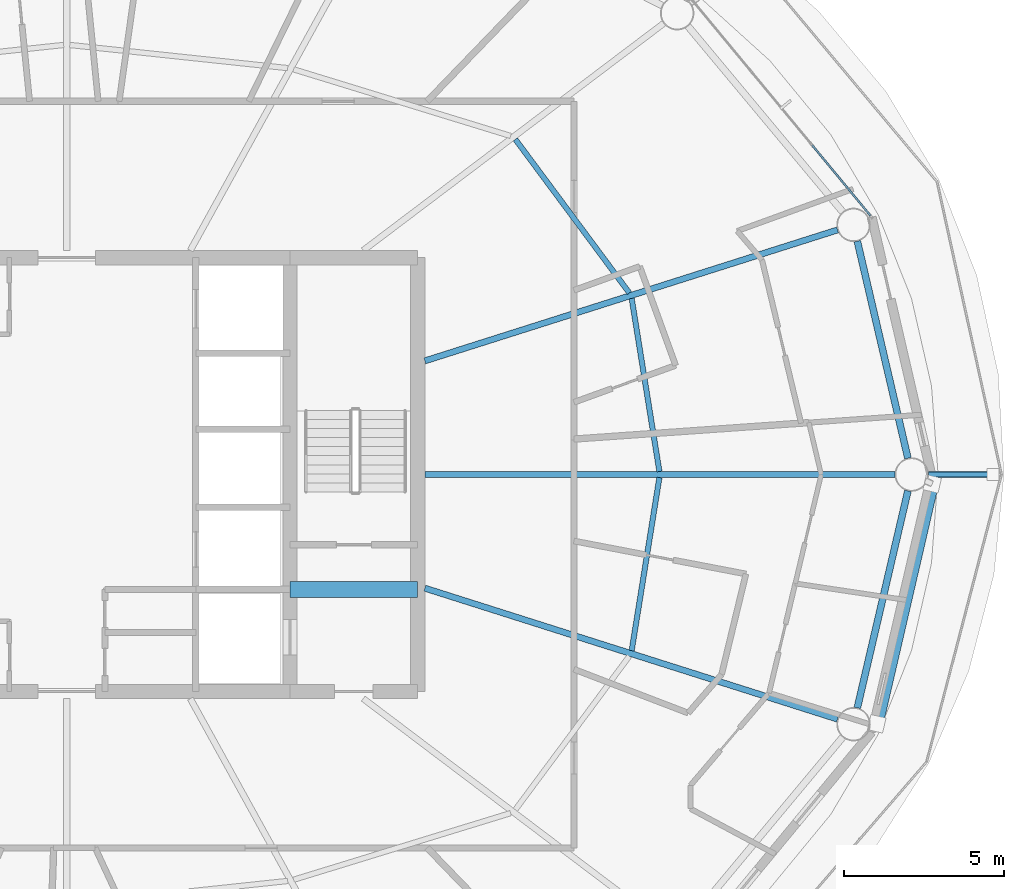
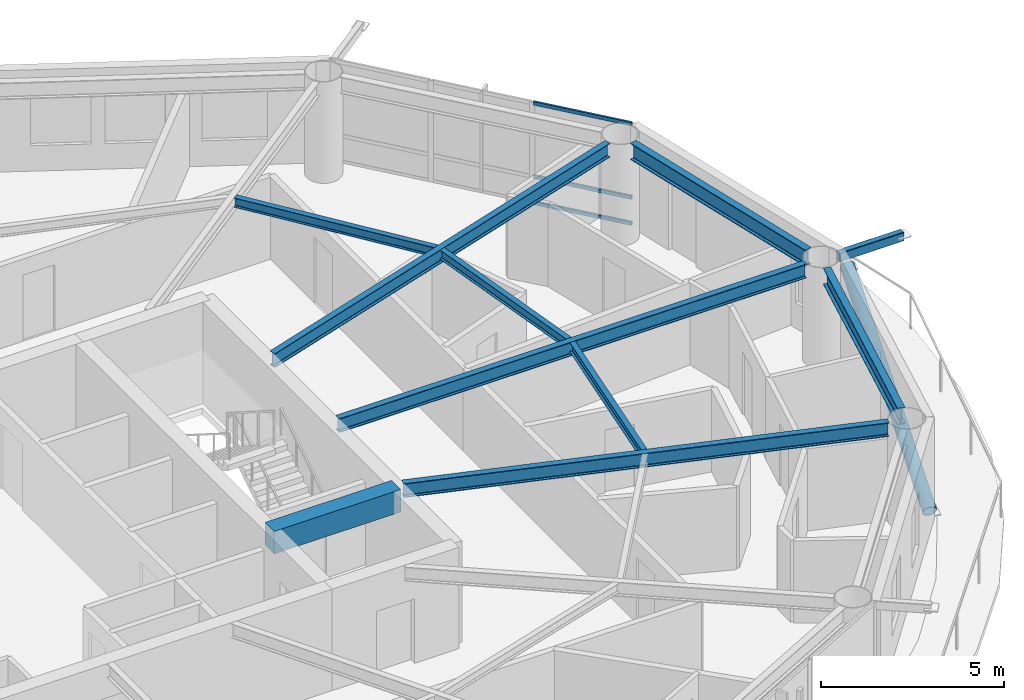
# One storey, part 8 of 28: 9 beams, 5 members, 1 element without a shape of its own.
"""IFC4 building model written with IfcOpenShell, lengths in metres."""

import ifcopenshell
import ifcopenshell.guid

model = None  # the IFC model being written
_history = None  # IfcOwnerHistory: only IFC2X3 demands one
_inside = {}  # id of a spatial element -> (the spatial element, [elements in it])
_under = {}  # id of a project, library or spatial element -> (it, [spatial elements below it])
_declared = {}  # id of a project -> (the project, [libraries it declares])
_typed = {}  # id of a type object -> (the type object, [elements of that type])
_made_of = {}  # id of a material, layer set ... -> (it, [elements and type objects made of it])


def new_model(schema):
    """Start an empty IFC model of exactly this schema.

    Asked for "IFC4X3", IfcOpenShell would pick the latest addendum, in which some entities
    have other attributes; the version numbers below select the first issue.
    IFC2X3 requires an IfcOwnerHistory on every rooted entity: one is made here for all.
    """
    global model, _history
    if schema == "IFC4X3":
        model = ifcopenshell.file(schema_version=(4, 3, 0, 0))
    else:
        model = ifcopenshell.file(schema=schema)
    _inside.clear()
    _under.clear()
    _declared.clear()
    _typed.clear()
    _made_of.clear()
    _history = None
    if model.schema == "IFC2X3":
        org = make("IfcOrganization", Name="unknown")
        user = make(
            "IfcPersonAndOrganization",
            ThePerson=make("IfcPerson", FamilyName="unknown"),
            TheOrganization=org,
        )
        app = make(
            "IfcApplication",
            ApplicationDeveloper=org,
            Version="unknown",
            ApplicationFullName="unknown",
            ApplicationIdentifier="unknown",
        )
        _history = make(
            "IfcOwnerHistory",
            OwningUser=user,
            OwningApplication=app,
            ChangeAction="ADDED",
            CreationDate=0,
        )
    return model


def make(cls, **values):
    """One entity of the class cls with the attributes given. An attribute that is None is left unset."""
    return model.create_entity(
        cls, **{name: value for name, value in values.items() if value is not None}
    )


def rooted(cls, **values):
    """An entity with a GlobalId (a new one), such as an element, a storey or a relation."""
    return make(cls, GlobalId=ifcopenshell.guid.new(), OwnerHistory=_history, **values)


def si_unit(unit_type, name, prefix=None):
    """IfcSIUnit, for example si_unit("LENGTHUNIT", "METRE", prefix="MILLI")."""
    return make("IfcSIUnit", UnitType=unit_type, Prefix=prefix, Name=name)


def assignment(units):
    """IfcUnitAssignment: the units of a project."""
    return None if units is None else make("IfcUnitAssignment", Units=units)


def point(xyz):
    """IfcCartesianPoint."""
    return None if xyz is None else make("IfcCartesianPoint", Coordinates=xyz)


def direction(xyz):
    """IfcDirection."""
    return None if xyz is None else make("IfcDirection", DirectionRatios=xyz)


def frame(location, z_axis=None, x_axis=None):
    """IfcAxis2Placement3D, a coordinate frame: its origin and axes. An axis left out is left unset."""
    return make(
        "IfcAxis2Placement3D",
        Location=point(location),
        Axis=direction(z_axis),
        RefDirection=direction(x_axis),
    )


def frame_2d(location, x_axis=None):
    """IfcAxis2Placement2D, a coordinate frame in the plane: its origin and x axis."""
    return make(
        "IfcAxis2Placement2D", Location=point(location), RefDirection=direction(x_axis)
    )


def origin():
    """The frame at (0, 0, 0) with its axes left unset."""
    return frame((0.0, 0.0, 0.0))


def origin_2d():
    """The frame at (0, 0) in the plane with its x axis left unset."""
    return frame_2d((0.0, 0.0))


def place(relative_to, where):
    """IfcLocalPlacement: puts the frame where relative to a parent placement (None: the world)."""
    return make(
        "IfcLocalPlacement", PlacementRelTo=relative_to, RelativePlacement=where
    )


def context(
    kind, dimensions, precision=None, world=None, true_north=None, identifier=None
):
    """IfcGeometricRepresentationContext, for example the 3D "Model" context."""
    return make(
        "IfcGeometricRepresentationContext",
        ContextIdentifier=identifier,
        ContextType=kind,
        CoordinateSpaceDimension=dimensions,
        Precision=precision,
        WorldCoordinateSystem=world,
        TrueNorth=true_north,
    )


def subcontext(parent, identifier, kind, view, scale=None):
    """IfcGeometricRepresentationSubContext, for example "Body" below "Model"."""
    return make(
        "IfcGeometricRepresentationSubContext",
        ContextIdentifier=identifier,
        ContextType=kind,
        ParentContext=parent,
        TargetScale=scale,
        TargetView=view,
    )


def project(units=None, contexts=None):
    """IfcProject with its units and contexts."""
    return rooted(
        "IfcProject",
        Name="project",
        RepresentationContexts=contexts,
        UnitsInContext=assignment(units),
    )


def spatial(cls, under=None, at=None, **own):
    """A site, building, storey or space (cls), placed at a placement, below another one or the project."""
    s = rooted(cls, ObjectPlacement=at, **own)
    if under is not None:
        _under.setdefault(under.id(), (under, []))[1].append(s)
    return s


def profile(cls, at=None, kind="AREA", **sizes):
    """A parametric profile (cls). Its sizes go by their IFC names, for example OverallWidth=200.0."""
    return make(cls, ProfileType=kind, Position=at, **sizes)


def rectangle(**sizes):
    """IfcRectangleProfileDef."""
    return profile("IfcRectangleProfileDef", **sizes)


def hollow_rectangle(**sizes):
    """IfcRectangleHollowProfileDef."""
    return profile("IfcRectangleHollowProfileDef", **sizes)


def hollow_circle(**sizes):
    """IfcCircleHollowProfileDef."""
    return profile("IfcCircleHollowProfileDef", **sizes)


def i_section(**sizes):
    """IfcIShapeProfileDef."""
    return profile("IfcIShapeProfileDef", **sizes)


def extrude(swept, where, along, depth):
    """IfcExtrudedAreaSolid: the profile swept, set in the frame where, extruded along a direction by depth."""
    return make(
        "IfcExtrudedAreaSolid",
        SweptArea=swept,
        Position=where,
        ExtrudedDirection=direction(along),
        Depth=depth,
    )


def shape(context_of_items, identifier, shape_type, items):
    """IfcShapeRepresentation: the items that make up one representation, for example the "Body"."""
    return make(
        "IfcShapeRepresentation",
        ContextOfItems=context_of_items,
        RepresentationIdentifier=identifier,
        RepresentationType=shape_type,
        Items=items,
    )


def material(Name=None, Category=None):
    """IfcMaterial."""
    return make("IfcMaterial", Name=Name, Category=Category)


def layer(
    of_material, thickness, ventilated=None, Name=None, Category=None, Priority=None
):
    """IfcMaterialLayer: one layer of a wall or slab, of a material (None: an air gap)."""
    return make(
        "IfcMaterialLayer",
        Material=of_material,
        LayerThickness=thickness,
        IsVentilated=ventilated,
        Name=Name,
        Category=Category,
        Priority=Priority,
    )


def layer_set(layers, Name=None):
    """IfcMaterialLayerSet."""
    return make("IfcMaterialLayerSet", MaterialLayers=layers, LayerSetName=Name)


def material_profile(
    of_material, cross_section, Name=None, Category=None, Priority=None
):
    """IfcMaterialProfile: a cross section and its material."""
    return make(
        "IfcMaterialProfile",
        Name=Name,
        Material=of_material,
        Profile=cross_section,
        Priority=Priority,
        Category=Category,
    )


def profile_set(profiles, Name=None, composite=None):
    """IfcMaterialProfileSet."""
    return make(
        "IfcMaterialProfileSet",
        Name=Name,
        MaterialProfiles=profiles,
        CompositeProfile=composite,
    )


def made_of(thing, what):
    """Note that an element or type object is made of a material, layer set ...; save() writes the relation."""
    if what is not None:
        _made_of.setdefault(what.id(), (what, []))[1].append(thing)
    return thing


def type_object(cls, material=None, **own):
    """A type object (cls), such as IfcWallType, which elements share."""
    return made_of(rooted(cls, **own), material)


def element(
    cls,
    number,
    at=None,
    inside=None,
    cuts=None,
    type_object=None,
    material=None,
    context=None,
    identifier="Body",
    shape_type=None,
    held_by="IfcProductDefinitionShape",
    body=None,
    shapes=None,
    **own,
):
    """One element of the class cls, such as IfcWall. Its Tag is "e" and its number.

    at: its placement. inside: the storey or other place that contains it. cuts: it is an
    opening in that element (IfcRelVoidsElement). A single representation is given by context,
    identifier, shape_type and body (its items); several are given by shapes. held_by: the class
    of the entity that holds the representations. save() writes the other relations.
    """
    e = rooted(cls, Tag="e%d" % number, ObjectPlacement=at, **own)
    if body is not None:
        shapes = [shape(context, identifier, shape_type, body)]
    if shapes is not None:
        e.Representation = make(held_by, Representations=shapes)
    if inside is not None:
        _inside.setdefault(inside.id(), (inside, []))[1].append(e)
    if cuts is not None:
        rooted(
            "IfcRelVoidsElement", RelatingBuildingElement=cuts, RelatedOpeningElement=e
        )
    if type_object is not None:
        _typed.setdefault(type_object.id(), (type_object, []))[1].append(e)
    return made_of(e, material)


def aggregate(whole, parts):
    """IfcRelAggregates: a whole, such as a stair, and the parts it consists of."""
    return rooted("IfcRelAggregates", RelatingObject=whole, RelatedObjects=parts)


def save(model, path):
    """Write the relations noted so far, then the file.

    IfcRelAggregates (storeys below a building ...), IfcRelContainedInSpatialStructure (elements
    in a storey), IfcRelDefinesByType, IfcRelAssociatesMaterial and IfcRelDeclares: one each for
    every whole, place, type object, material and project.
    """
    for whole, parts in _under.values():
        aggregate(whole, parts)
    for where, things in _inside.values():
        rooted(
            "IfcRelContainedInSpatialStructure",
            RelatedElements=things,
            RelatingStructure=where,
        )
    for kind, things in _typed.values():
        rooted("IfcRelDefinesByType", RelatedObjects=things, RelatingType=kind)
    for what, things in _made_of.values():
        rooted("IfcRelAssociatesMaterial", RelatedObjects=things, RelatingMaterial=what)
    for by, libraries in _declared.values():
        rooted("IfcRelDeclares", RelatingContext=by, RelatedDefinitions=libraries)
    model.write(path)


model = new_model("IFC4")

# Units and contexts
model_context = context("Model", 3, precision=1e-05, world=origin(), true_north=direction((0.0, 1.0)))
body_context = subcontext(model_context, "Body", "Model", "MODEL_VIEW")
ifc_project = project(units=[si_unit("LENGTHUNIT", "METRE"), si_unit("AREAUNIT", "SQUARE_METRE"), si_unit("VOLUMEUNIT", "CUBIC_METRE"), si_unit("PLANEANGLEUNIT", "RADIAN"), si_unit("MASSUNIT", "GRAM", prefix="KILO")], contexts=[model_context])

# Site, building, storey
site_placement = place(None, origin())
site = spatial("IfcSite", under=ifc_project, at=site_placement, CompositionType="ELEMENT")
building_placement = place(site_placement, origin())
building = spatial("IfcBuilding", under=site, at=building_placement, Name="Sarneth Arch Tower", CompositionType="ELEMENT")
storey_placement = place(building_placement, frame((0.0, 0.0, 154.199951171875)))
storey = spatial("IfcBuildingStorey", under=building, at=storey_placement, Name="L38", CompositionType="ELEMENT", Elevation=154.199951171875)

# Beams
ifc_material_1 = material(Name="Steel S355", Category="steel")
ifc_material_profile_1 = material_profile(ifc_material_1, i_section(OverallWidth=0.1669921875, OverallDepth=0.31689453125, WebThickness=0.007568359375, FlangeThickness=0.01318359375, FilletRadius=0.012939453125, at=origin_2d()), Name="W310x52")
ifc_profile_set_1 = profile_set([ifc_material_profile_1], Name="Steel S355")
beam_type_1 = type_object("IfcBeamType", Name="BM-JOIST-310B", PredefinedType="JOIST", material=ifc_profile_set_1)
beam_1_placement = place(storey_placement, frame((66.578125, 42.09521484375, 3.221435546875), z_axis=(-0.158262632389, 0.987397052451, 0.0), x_axis=(-0.987397052451, -0.158262632389, 0.0)))
element("IfcBeam", 1, at=beam_1_placement, inside=storey, type_object=beam_type_1, Name="L38 Secondary floor joist 01", PredefinedType="JOIST", context=body_context, shape_type="SweptSolid", body=[
    extrude(i_section(OverallWidth=0.1669921875, OverallDepth=0.31689453125, WebThickness=0.007568359375, FlangeThickness=0.01318359375, FilletRadius=0.012939453125, at=origin_2d()), origin(), (0.0, 0.0, 1.0), 5.493408203125),
])
beam_2_placement = place(storey_placement, frame((65.6357421875, 47.692138671875, 3.221435546875), z_axis=(-0.595933334016, 0.803033910497, 0.0), x_axis=(-0.803033910497, -0.595933334016, 0.0)))
element("IfcBeam", 2, at=beam_2_placement, inside=storey, type_object=beam_type_1, Name="L38 Secondary floor joist 02", PredefinedType="JOIST", context=body_context, shape_type="SweptSolid", body=[
    extrude(i_section(OverallWidth=0.1669921875, OverallDepth=0.31689453125, WebThickness=0.007568359375, FlangeThickness=0.01318359375, FilletRadius=0.012939453125, at=origin_2d()), origin(), (0.0, 0.0, 1.0), 5.99560546875),
])
beam_3_placement = place(storey_placement, frame((65.708740234375, 36.480712890625, 3.221435546875), z_axis=(0.158262632389, 0.987397052451, 0.0), x_axis=(-0.987397052451, 0.158262632389, 0.0)))
element("IfcBeam", 3, at=beam_3_placement, inside=storey, type_object=beam_type_1, Name="L38 Secondary floor joist 16", PredefinedType="JOIST", context=body_context, shape_type="SweptSolid", body=[
    extrude(i_section(OverallWidth=0.1669921875, OverallDepth=0.31689453125, WebThickness=0.007568359375, FlangeThickness=0.01318359375, FilletRadius=0.012939453125, at=origin_2d()), origin(), (0.0, 0.0, 1.0), 5.493408203125),
])
ifc_material_2 = material(Name="Concrete C50/60", Category="concrete")
ifc_material_profile_2 = material_profile(ifc_material_2, rectangle(XDim=0.5, YDim=0.75, at=origin_2d()), Name="RC-500x750")
ifc_profile_set_2 = profile_set([ifc_material_profile_2], Name="Concrete C50/60")
beam_type_2 = type_object("IfcBeamType", Name="BM-LINTEL-RC", PredefinedType="LINTEL", material=ifc_profile_set_2)
beam_4_placement = place(storey_placement, frame((55.0, 38.39990234375, 3.005126953125), z_axis=(1.0, 0.0, 0.0), x_axis=(0.0, 1.0, 0.0)))
element("IfcBeam", 4, at=beam_4_placement, inside=storey, type_object=beam_type_2, Name="L38 Core coupling lintel E", PredefinedType="LINTEL", context=body_context, shape_type="SweptSolid", body=[
    extrude(rectangle(XDim=0.5, YDim=0.75, at=origin_2d()), origin(), (0.0, 0.0, 1.0), 4.0),
])
ifc_material_3 = material(Name="Steel S355", Category="steel")
ifc_material_profile_3 = material_profile(ifc_material_3, i_section(OverallWidth=0.193115234375, OverallDepth=0.466064453125, WebThickness=0.011474609375, FlangeThickness=0.01904296875, FilletRadius=0.01806640625, at=origin_2d()), Name="W460x97")
ifc_profile_set_3 = profile_set([ifc_material_profile_3], Name="Steel S355")
beam_type_3 = type_object("IfcBeamType", Name="BM-RAD-460C", PredefinedType="BEAM", material=ifc_profile_set_3)
beam_5_placement = place(storey_placement, frame((59.22509765625, 42.0, 3.14697265625), z_axis=(1.0, 0.0, 0.0), x_axis=(0.0, 1.0, 0.0)))
element("IfcBeam", 5, at=beam_5_placement, inside=storey, type_object=beam_type_3, Name="L38 Radial floor girder 01", PredefinedType="BEAM", context=body_context, shape_type="SweptSolid", body=[
    extrude(i_section(OverallWidth=0.193115234375, OverallDepth=0.466064453125, WebThickness=0.011474609375, FlangeThickness=0.01904296875, FilletRadius=0.01806640625, at=origin_2d()), origin(), (0.0, 0.0, 1.0), 14.73681640625),
])
for number, where, z_axis, x_axis, name in (
    (6, (59.22509765625, 45.56201171875, 3.14697265625), (0.953163620049, 0.302455142815, 0.0), (-0.302455142815, 0.953163620049, 0.0), "L38 Radial floor girder 02"),
    (7, (59.22509765625, 38.43798828125, 3.14697265625), (0.953163620049, -0.302455142815, 0.0), (0.302455142815, 0.953163620049, 0.0), "L38 Radial floor girder 16"),
):
    element("IfcBeam", number, at=place(storey_placement, frame(where, z_axis=z_axis, x_axis=x_axis)), inside=storey, type_object=beam_type_3, Name=name, PredefinedType="BEAM", context=body_context, shape_type="SweptSolid", body=[
        extrude(i_section(OverallWidth=0.193115234375, OverallDepth=0.466064453125, WebThickness=0.011474609375, FlangeThickness=0.01904296875, FilletRadius=0.01806640625, at=origin_2d()), origin(), (0.0, 0.0, 1.0), 13.572265625),
    ])
ifc_material_4 = material(Name="Steel S355", Category="steel")
ifc_material_profile_4 = material_profile(ifc_material_4, i_section(OverallWidth=0.214111328125, OverallDepth=0.549072265625, WebThickness=0.0146484375, FlangeThickness=0.023681640625, FilletRadius=0.01806640625, at=origin_2d()), Name="W530x138")
ifc_profile_set_4 = profile_set([ifc_material_profile_4], Name="Steel S355")
beam_type_4 = type_object("IfcBeamType", Name="BM-RAD-530A", PredefinedType="BEAM", material=ifc_profile_set_4)
for number, where, z_axis, x_axis, name in (
    (8, (74.36767578125, 42.51123046875, 3.10546875), (-0.22708709918, 0.973874452579, 0.0), (-0.973874452579, -0.22708709918, 0.0), "L38 Perimeter spandrel beam 01"),
    (9, (72.78125, 34.685302734375, 3.10546875), (0.22708709918, 0.973874452579, 0.0), (-0.973874452579, 0.22708709918, 0.0), "L38 Perimeter spandrel beam 16"),
):
    element("IfcBeam", number, at=place(storey_placement, frame(where, z_axis=z_axis, x_axis=x_axis)), inside=storey, type_object=beam_type_4, Name=name, PredefinedType="BEAM", context=body_context, shape_type="SweptSolid", body=[
        extrude(i_section(OverallWidth=0.214111328125, OverallDepth=0.549072265625, WebThickness=0.0146484375, FlangeThickness=0.023681640625, FilletRadius=0.01806640625, at=origin_2d()), origin(), (0.0, 0.0, 1.0), 6.986083984375),
    ])

# Curtain wall, members
ifc_material_5 = material(Name="Anodised aluminium Type AA25 and solar-control low-e laminated IGU", Category="aluminium")
ifc_layer = layer(ifc_material_5, 0.169921875)
ifc_layer_set = layer_set([ifc_layer], Name="Anodised aluminium Type AA25 and solar-control low-e laminated IGU")
curtain_wall_type = type_object("IfcCurtainWallType", Name="CW-RES-MID", PredefinedType="NOTDEFINED", material=ifc_layer_set)
curtain_wall_placement = place(storey_placement, origin())
curtain_wall = element("IfcCurtainWall", 10, at=curtain_wall_placement, inside=storey, type_object=curtain_wall_type, Name="L38 Unitised curtain wall facet 02", PredefinedType="NOTDEFINED")
ifc_material_6 = material(Name="Anodised Aluminium 6063-T6", Category="aluminium")
ifc_material_profile_5 = material_profile(ifc_material_6, hollow_rectangle(XDim=0.06005859375, YDim=0.1201171875, WallThickness=0.00390625, at=origin_2d()), Name="AL-TRAN-120x60x4")
ifc_profile_set_5 = profile_set([ifc_material_profile_5], Name="Anodised Aluminium 6063-T6")
member_type_1 = type_object("IfcMemberType", Name="CW-TRANSOM", PredefinedType="USERDEFINED", material=ifc_profile_set_5)
member_1_placement = place(storey_placement, frame((73.194091796875, 50.11328125, 0.030029296875), z_axis=(-0.637358651504, 0.770567290607, 0.0), x_axis=(-0.770567290607, -0.637358651504, 0.0)))
member_1 = element("IfcMember", 11, at=member_1_placement, type_object=member_type_1, Name="CW-SYS-5 transom 1.1", ObjectType="TRANSOM", PredefinedType="USERDEFINED", context=body_context, shape_type="SweptSolid", body=[
    extrude(hollow_rectangle(XDim=0.06005859375, YDim=0.1201171875, WallThickness=0.00390625, at=origin_2d()), origin(), (0.0, 0.0, 1.0), 2.8681640625),
])
member_2_placement = place(storey_placement, frame((73.194091796875, 50.11328125, 0.900146484375), z_axis=(-0.637358651504, 0.770567290607, 0.0), x_axis=(-0.770567290607, -0.637358651504, 0.0)))
member_2 = element("IfcMember", 12, at=member_2_placement, type_object=member_type_1, Name="CW-SYS-5 transom 1.2", ObjectType="TRANSOM", PredefinedType="USERDEFINED", context=body_context, shape_type="SweptSolid", body=[
    extrude(hollow_rectangle(XDim=0.06005859375, YDim=0.1201171875, WallThickness=0.00390625, at=origin_2d()), origin(), (0.0, 0.0, 1.0), 2.8681640625),
])
member_3_placement = place(storey_placement, frame((73.194091796875, 50.11328125, 3.35009765625), z_axis=(-0.637358651504, 0.770567290607, 0.0), x_axis=(-0.770567290607, -0.637358651504, 0.0)))
member_3 = element("IfcMember", 13, at=member_3_placement, type_object=member_type_1, Name="CW-SYS-5 transom 1.3", ObjectType="TRANSOM", PredefinedType="USERDEFINED", context=body_context, shape_type="SweptSolid", body=[
    extrude(hollow_rectangle(XDim=0.06005859375, YDim=0.1201171875, WallThickness=0.00390625, at=origin_2d()), origin(), (0.0, 0.0, 1.0), 2.8681640625),
])
aggregate(curtain_wall, [member_1, member_2, member_3])

# Members
ifc_material_7 = material(Name="Steel S355", Category="steel")
ifc_material_profile_6 = material_profile(ifc_material_7, hollow_rectangle(XDim=0.199951171875, YDim=0.300048828125, WallThickness=0.012451171875, InnerFilletRadius=0.018798828125, OuterFilletRadius=0.03125, at=origin_2d()), Name="RHS300x200x12.5")
ifc_profile_set_6 = profile_set([ifc_material_profile_6], Name="Steel S355")
member_type_2 = type_object("IfcMemberType", Name="MEM-CANT-STRUT", PredefinedType="STRUT", material=ifc_profile_set_6)
member_4_placement = place(storey_placement, frame((75.011962890625, 42.0, 3.219970703125), z_axis=(1.0, 0.0, 0.0), x_axis=(0.0, 1.0, 0.0)))
element("IfcMember", 14, at=member_4_placement, inside=storey, type_object=member_type_2, Name="L38 Balcony cantilever bracket 01", PredefinedType="STRUT", context=body_context, shape_type="SweptSolid", body=[
    extrude(hollow_rectangle(XDim=0.199951171875, YDim=0.300048828125, WallThickness=0.012451171875, InnerFilletRadius=0.018798828125, OuterFilletRadius=0.03125, at=origin_2d()), origin(), (0.0, 0.0, 1.0), 2.019287109375),
])
ifc_material_8 = material(Name="Steel S355", Category="steel")
ifc_material_profile_7 = material_profile(ifc_material_8, hollow_circle(Radius=0.202880859375, WallThickness=0.01611328125, at=origin_2d()), Name="CHS406x16")
ifc_profile_set_7 = profile_set([ifc_material_profile_7], Name="Steel S355")
member_type_3 = type_object("IfcMemberType", Name="MEM-DIAG-BR2", PredefinedType="BRACE", material=ifc_profile_set_7)
member_5_placement = place(storey_placement, frame((73.390380859375, 34.18701171875, 0.02001953125), z_axis=(0.209646277215, 0.90691666474, 0.365445757488), x_axis=(-0.974306903917, 0.225224459107, 0.0)))
element("IfcMember", 15, at=member_5_placement, inside=storey, type_object=member_type_3, Name="L38 Perimeter frame diagonal 16", PredefinedType="BRACE", context=body_context, shape_type="SweptSolid", body=[
    extrude(hollow_circle(Radius=0.202880859375, WallThickness=0.01611328125, at=origin_2d()), origin(), (0.0, 0.0, 1.0), 8.292724609375),
])

save(model, "model.ifc")
